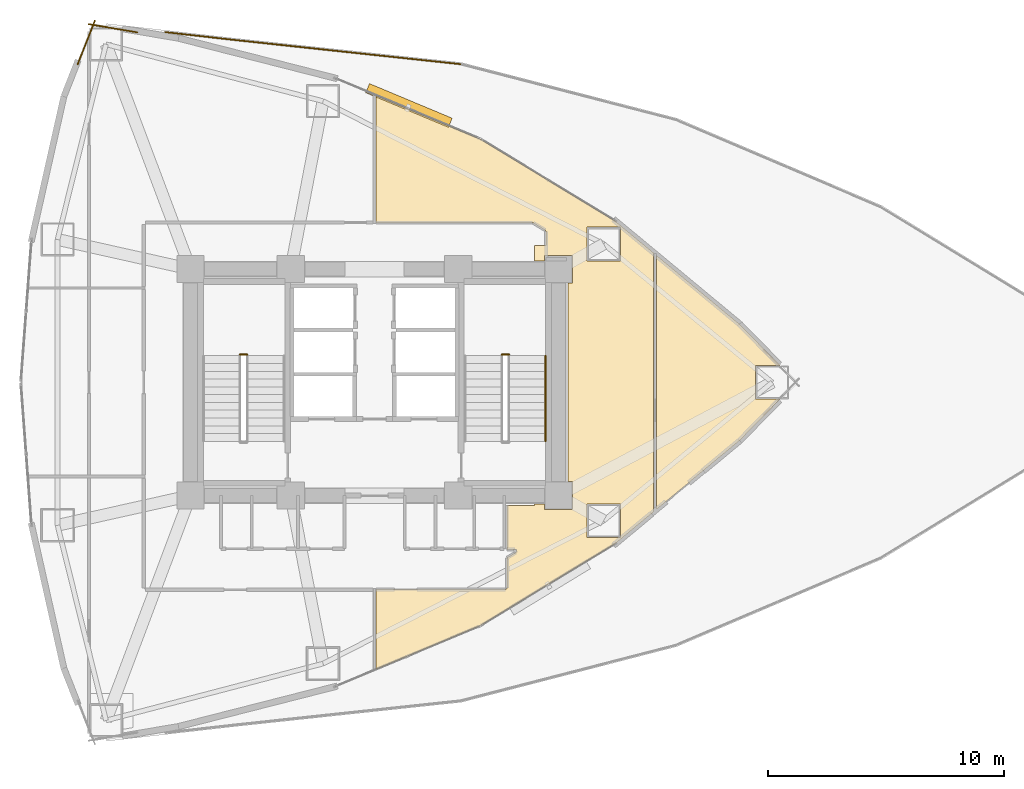
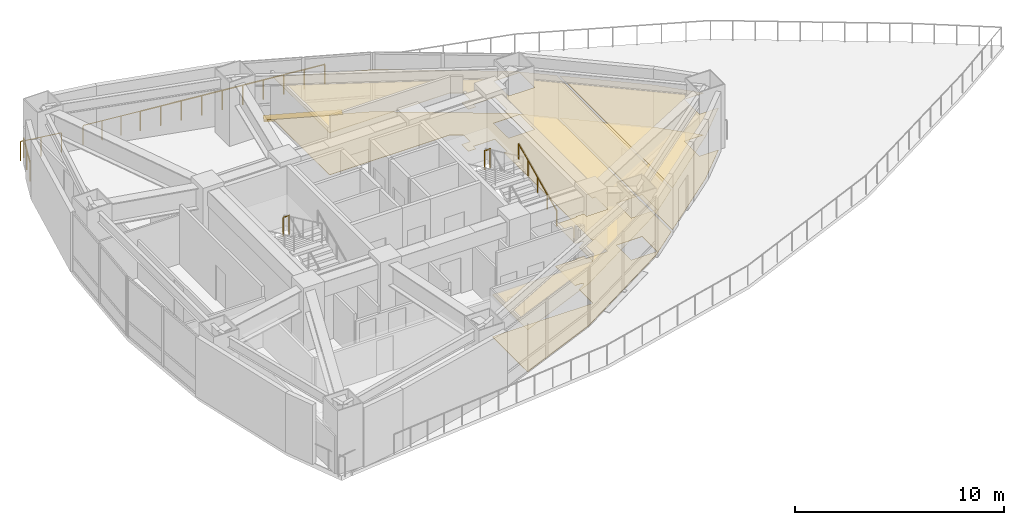
# One storey, part 18 of 19: 7 railings, 4 coverings, 1 shading device.
"""IFC4 building model written with IfcOpenShell, lengths in metres."""

from ifc_helpers import new_model, si_unit, direction, frame, origin, origin_2d, place, context, subcontext, project, spatial, polyline, rectangle, circle, outline, extrude, material, layer, layer_set, type_object, element, save


model = new_model("IFC4")

# Units and contexts
model_context = context("Model", 3, precision=1e-05, world=origin(), true_north=direction((0.0, 1.0)))
body_context = subcontext(model_context, "Body", "Model", "MODEL_VIEW")
ifc_project = project(units=[si_unit("LENGTHUNIT", "METRE"), si_unit("AREAUNIT", "SQUARE_METRE"), si_unit("VOLUMEUNIT", "CUBIC_METRE"), si_unit("PLANEANGLEUNIT", "RADIAN"), si_unit("MASSUNIT", "GRAM", prefix="KILO")], contexts=[model_context])

# Site, building, storey
site_placement = place(None, origin())
site = spatial("IfcSite", under=ifc_project, at=site_placement, CompositionType="ELEMENT")
building_placement = place(site_placement, origin())
building = spatial("IfcBuilding", under=site, at=building_placement, Name="Menara Vayukalpa", CompositionType="ELEMENT")
storey_placement = place(building_placement, frame((0.0, 0.0, 68.52001953125)))
storey = spatial("IfcBuildingStorey", under=building, at=storey_placement, Name="L16", CompositionType="ELEMENT", Elevation=68.52001953125)

# Coverings
ifc_material_1 = material(Name="Mineral Fibre Acoustic Ceiling Tile", Category="masonry")
ifc_layer_1 = layer(ifc_material_1, 0.02490234375)
ifc_layer_set_1 = layer_set([ifc_layer_1], Name="Mineral Fibre Acoustic Ceiling Tile")
covering_type_1 = type_object("IfcCoveringType", Name="COV-CLG1", PredefinedType="CEILING", material=ifc_layer_set_1)
covering_1_placement = place(storey_placement, frame((0.0, 0.0, 2.449951171875)))
element("IfcCovering", 1, at=covering_1_placement, inside=storey, type_object=covering_type_1, Name="L16 Technical Reference Library Acoustic Ceiling", PredefinedType="CEILING", context=body_context, shape_type="SweptSolid", body=[
    extrude(outline(polyline([(42.798828125, 22.715087890625), (41.749755859375, 22.715087890625), (41.749755859375, 21.284912109375), (42.798828125, 21.284912109375), (41.078369140625, 19.53271484375), (41.07763671875, 19.531982421875), (37.576416015625, 16.62841796875), (37.57568359375, 16.6279296875), (37.57470703125, 16.62744140625), (37.573974609375, 16.626953125), (37.572998046875, 16.626708984375), (37.572021484375, 16.62646484375), (37.571044921875, 16.626220703125), (37.570068359375, 16.626220703125), (37.569091796875, 16.626220703125), (37.568115234375, 16.62646484375), (37.567138671875, 16.626708984375), (37.566162109375, 16.626953125), (37.565185546875, 16.62744140625), (37.564453125, 16.6279296875), (37.563720703125, 16.62841796875), (37.56298828125, 16.629150390625), (37.562255859375, 16.6298828125), (37.561767578125, 16.630615234375), (37.561279296875, 16.631591796875), (37.560791015625, 16.63232421875), (37.560302734375, 16.63330078125), (37.560302734375, 16.63427734375), (37.56005859375, 16.63525390625), (37.56005859375, 16.63623046875), (37.56005859375, 27.36376953125), (37.56005859375, 27.36474609375), (37.560302734375, 27.36572265625), (37.560302734375, 27.36669921875), (37.560791015625, 27.36767578125), (37.561279296875, 27.368408203125), (37.561767578125, 27.369384765625), (37.562255859375, 27.3701171875), (37.56298828125, 27.370849609375), (37.563720703125, 27.37158203125), (37.564453125, 27.3720703125), (37.565185546875, 27.37255859375), (37.566162109375, 27.373046875), (37.567138671875, 27.373291015625), (37.568115234375, 27.37353515625), (37.569091796875, 27.373779296875), (37.570068359375, 27.373779296875), (37.571044921875, 27.373779296875), (37.572021484375, 27.37353515625), (37.572998046875, 27.373291015625), (37.573974609375, 27.373046875), (37.57470703125, 27.37255859375), (37.57568359375, 27.3720703125), (37.576416015625, 27.37158203125), (41.07763671875, 24.468017578125), (41.078369140625, 24.46728515625), (42.798828125, 22.715087890625)])), origin(), (0.0, 0.0, 1.0), 0.025146484375),
])
covering_2_placement = place(storey_placement, frame((0.0, 0.0, 2.449951171875)))
element("IfcCovering", 2, at=covering_2_placement, inside=storey, type_object=covering_type_1, Name="L16 Open Plan Office Workplace Acoustic Ceiling", PredefinedType="CEILING", context=body_context, shape_type="SweptSolid", body=[
    extrude(outline(polyline([(32.81005859375, 16.85009765625), (32.81005859375, 16.610107421875), (33.989990234375, 16.610107421875), (33.989990234375, 17.7900390625), (33.81005859375, 17.7900390625), (33.81005859375, 26.2099609375), (33.989990234375, 26.2099609375), (33.989990234375, 27.389892578125), (32.81005859375, 27.389892578125), (32.81005859375, 27.14990234375), (32.389892578125, 27.14990234375), (32.389892578125, 27.81005859375), (32.8701171875, 27.81005859375), (32.8701171875, 28.39453125), (32.86962890625, 28.40185546875), (32.868408203125, 28.408935546875), (32.86669921875, 28.416015625), (32.8642578125, 28.422607421875), (32.861083984375, 28.428955078125), (32.857177734375, 28.43505859375), (32.852783203125, 28.440673828125), (32.847900390625, 28.44580078125), (32.84228515625, 28.450439453125), (32.836181640625, 28.45458984375), (32.333984375, 28.759765625), (32.328125, 28.762939453125), (32.322509765625, 28.765380859375), (32.31640625, 28.767333984375), (32.31005859375, 28.768798828125), (32.3037109375, 28.769775390625), (32.297119140625, 28.77001953125), (25.669921875, 28.77001953125), (25.6689453125, 28.77001953125), (25.66796875, 28.770263671875), (25.6669921875, 28.7705078125), (25.666259765625, 28.770751953125), (25.665283203125, 28.771240234375), (25.664306640625, 28.771728515625), (25.663818359375, 28.772216796875), (25.662841796875, 28.77294921875), (25.662353515625, 28.773681640625), (25.66162109375, 28.7744140625), (25.6611328125, 28.775390625), (25.660888671875, 28.776123046875), (25.660400390625, 28.777099609375), (25.66015625, 28.778076171875), (25.659912109375, 28.779052734375), (25.659912109375, 28.780029296875), (25.659912109375, 34.148681640625), (25.659912109375, 34.149658203125), (25.66015625, 34.150634765625), (25.660400390625, 34.151611328125), (25.660888671875, 34.152587890625), (25.6611328125, 34.1533203125), (25.66162109375, 34.154296875), (25.662353515625, 34.155029296875), (25.662841796875, 34.15576171875), (25.663818359375, 34.156494140625), (25.66455078125, 34.156982421875), (25.665283203125, 34.157470703125), (25.666259765625, 34.157958984375), (25.6669921875, 34.158203125), (25.668212890625, 34.158447265625), (25.6689453125, 34.15869140625), (25.669921875, 34.15869140625), (25.6708984375, 34.15869140625), (25.672119140625, 34.158447265625), (25.6728515625, 34.158203125), (25.673828125, 34.157958984375), (30.08984375, 32.310791015625), (30.090576171875, 32.310302734375), (30.09130859375, 32.31005859375), (35.810791015625, 28.835693359375), (35.81201171875, 28.834716796875), (37.438720703125, 27.48583984375), (37.439208984375, 27.485107421875), (37.43994140625, 27.484375), (37.440673828125, 27.4833984375), (37.441162109375, 27.482666015625), (37.44140625, 27.481689453125), (37.44189453125, 27.480712890625), (37.442138671875, 27.479736328125), (37.442138671875, 27.478759765625), (37.442138671875, 27.477783203125), (37.442138671875, 27.476806640625), (37.44189453125, 27.4755859375), (37.441162109375, 27.47265625), (37.440185546875, 27.466796875), (37.43994140625, 27.460693359375), (37.43994140625, 16.539306640625), (37.440185546875, 16.533203125), (37.441162109375, 16.52734375), (37.44189453125, 16.5244140625), (37.442138671875, 16.523193359375), (37.442138671875, 16.522216796875), (37.442138671875, 16.521240234375), (37.442138671875, 16.520263671875), (37.44189453125, 16.519287109375), (37.44140625, 16.518310546875), (37.441162109375, 16.517333984375), (37.440673828125, 16.5166015625), (37.43994140625, 16.515625), (37.439208984375, 16.514892578125), (37.438720703125, 16.51416015625), (35.81201171875, 15.165283203125), (35.810791015625, 15.164306640625), (30.09130859375, 11.68994140625), (30.090576171875, 11.689697265625), (30.08984375, 11.689208984375), (25.673828125, 9.842041015625), (25.6728515625, 9.841796875), (25.672119140625, 9.841552734375), (25.6708984375, 9.84130859375), (25.669921875, 9.84130859375), (25.6689453125, 9.84130859375), (25.668212890625, 9.841552734375), (25.6669921875, 9.841796875), (25.666259765625, 9.842041015625), (25.665283203125, 9.842529296875), (25.66455078125, 9.843017578125), (25.663818359375, 9.843505859375), (25.662841796875, 9.84423828125), (25.662353515625, 9.844970703125), (25.66162109375, 9.845703125), (25.6611328125, 9.8466796875), (25.660888671875, 9.847412109375), (25.660400390625, 9.848388671875), (25.66015625, 9.849365234375), (25.659912109375, 9.850341796875), (25.659912109375, 9.851318359375), (25.659912109375, 13.2099609375), (25.659912109375, 13.2109375), (25.66015625, 13.2119140625), (25.660400390625, 13.212890625), (25.660888671875, 13.2138671875), (25.6611328125, 13.214599609375), (25.66162109375, 13.215576171875), (25.662353515625, 13.21630859375), (25.662841796875, 13.217041015625), (25.663818359375, 13.2177734375), (25.664306640625, 13.21826171875), (25.665283203125, 13.21875), (25.666259765625, 13.21923828125), (25.6669921875, 13.219482421875), (25.66796875, 13.2197265625), (25.6689453125, 13.219970703125), (25.669921875, 13.219970703125), (31.149658203125, 13.219970703125), (31.15673828125, 13.220458984375), (31.163818359375, 13.22119140625), (31.17041015625, 13.222900390625), (31.1767578125, 13.225341796875), (31.18310546875, 13.228271484375), (31.188720703125, 13.231689453125), (31.194580078125, 13.236083984375), (31.199462890625, 13.240478515625), (31.2041015625, 13.24560546875), (31.208251953125, 13.251220703125), (31.2119140625, 13.257080078125), (31.214599609375, 13.26318359375), (31.217041015625, 13.269775390625), (31.21875, 13.2763671875), (31.219482421875, 13.283203125), (31.219970703125, 13.290283203125), (31.219970703125, 14.55810546875), (31.22021484375, 14.55908203125), (31.22021484375, 14.56005859375), (31.220458984375, 14.56103515625), (31.220703125, 14.56201171875), (31.22119140625, 14.56298828125), (31.2216796875, 14.563720703125), (31.222412109375, 14.564697265625), (31.22314453125, 14.565185546875), (31.22412109375, 14.56591796875), (31.224853515625, 14.56640625), (31.5927734375, 14.7900390625), (31.5986328125, 14.794189453125), (31.60400390625, 14.798583984375), (31.60888671875, 14.803466796875), (31.61328125, 14.80908203125), (31.6171875, 14.81494140625), (31.620361328125, 14.821044921875), (31.622802734375, 14.82763671875), (31.624755859375, 14.83447265625), (31.626220703125, 14.84130859375), (31.626708984375, 14.84814453125), (31.62646484375, 14.85498046875), (31.62548828125, 14.862060546875), (31.6240234375, 14.868896484375), (31.621826171875, 14.87548828125), (31.618896484375, 14.8818359375), (31.615478515625, 14.887939453125), (31.611328125, 14.8935546875), (31.606689453125, 14.898681640625), (31.6015625, 14.903564453125), (31.59619140625, 14.90771484375), (31.590087890625, 14.911376953125), (31.583740234375, 14.91455078125), (31.5771484375, 14.916748046875), (31.570556640625, 14.918701171875), (31.563720703125, 14.919677734375), (31.556396484375, 14.919921875), (31.219970703125, 14.919921875), (31.218994140625, 14.919921875), (31.218017578125, 14.920166015625), (31.217041015625, 14.92041015625), (31.21630859375, 14.9208984375), (31.21533203125, 14.921142578125), (31.21435546875, 14.921630859375), (31.213623046875, 14.92236328125), (31.212890625, 14.9228515625), (31.21240234375, 14.923583984375), (31.211669921875, 14.92431640625), (31.211181640625, 14.92529296875), (31.210693359375, 14.92626953125), (31.21044921875, 14.927001953125), (31.210205078125, 14.927978515625), (31.2099609375, 14.928955078125), (31.2099609375, 14.929931640625), (31.2099609375, 16.780029296875), (31.2099609375, 16.781005859375), (31.210205078125, 16.781982421875), (31.21044921875, 16.782958984375), (31.210693359375, 16.78369140625), (31.211181640625, 16.78466796875), (31.211669921875, 16.78564453125), (31.21240234375, 16.786376953125), (31.212890625, 16.787109375), (31.213623046875, 16.78759765625), (31.21435546875, 16.788330078125), (31.21533203125, 16.788818359375), (31.21630859375, 16.789306640625), (31.217041015625, 16.78955078125), (31.218017578125, 16.789794921875), (31.218994140625, 16.7900390625), (31.219970703125, 16.7900390625), (32.389892578125, 16.7900390625), (32.389892578125, 16.85009765625), (32.81005859375, 16.85009765625)]), holes=[polyline([(36.032958984375, 16.851806640625), (34.60302734375, 16.851806640625), (34.60302734375, 15.421875), (36.032958984375, 15.421875), (36.032958984375, 16.851806640625)]), polyline([(36.032958984375, 27.148193359375), (36.032958984375, 28.578125), (34.60302734375, 28.578125), (34.60302734375, 27.148193359375), (36.032958984375, 27.148193359375)])]), origin(), (0.0, 0.0, 1.0), 0.025146484375),
])
ifc_material_2 = material(Name="Porcelain Stoneware Floor Tile", Category="masonry")
ifc_layer_2 = layer(ifc_material_2, 0.02001953125)
ifc_layer_set_2 = layer_set([ifc_layer_2], Name="Porcelain Stoneware Floor Tile")
covering_type_2 = type_object("IfcCoveringType", Name="COV-FLR1", PredefinedType="FLOORING", material=ifc_layer_set_2)
covering_3_placement = place(storey_placement, origin())
element("IfcCovering", 3, at=covering_3_placement, inside=storey, type_object=covering_type_2, Name="L16 Technical Reference Library Porcelain Flooring", PredefinedType="FLOORING", context=body_context, shape_type="SweptSolid", body=[
    extrude(outline(polyline([(42.798828125, 22.715087890625), (41.749755859375, 22.715087890625), (41.749755859375, 21.284912109375), (42.798828125, 21.284912109375), (41.078369140625, 19.53271484375), (41.07763671875, 19.531982421875), (37.576416015625, 16.62841796875), (37.57568359375, 16.6279296875), (37.57470703125, 16.62744140625), (37.573974609375, 16.626953125), (37.572998046875, 16.626708984375), (37.572021484375, 16.62646484375), (37.571044921875, 16.626220703125), (37.570068359375, 16.626220703125), (37.569091796875, 16.626220703125), (37.568115234375, 16.62646484375), (37.567138671875, 16.626708984375), (37.566162109375, 16.626953125), (37.565185546875, 16.62744140625), (37.564453125, 16.6279296875), (37.563720703125, 16.62841796875), (37.56298828125, 16.629150390625), (37.562255859375, 16.6298828125), (37.561767578125, 16.630615234375), (37.561279296875, 16.631591796875), (37.560791015625, 16.63232421875), (37.560302734375, 16.63330078125), (37.560302734375, 16.63427734375), (37.56005859375, 16.63525390625), (37.56005859375, 16.63623046875), (37.56005859375, 27.36376953125), (37.56005859375, 27.36474609375), (37.560302734375, 27.36572265625), (37.560302734375, 27.36669921875), (37.560791015625, 27.36767578125), (37.561279296875, 27.368408203125), (37.561767578125, 27.369384765625), (37.562255859375, 27.3701171875), (37.56298828125, 27.370849609375), (37.563720703125, 27.37158203125), (37.564453125, 27.3720703125), (37.565185546875, 27.37255859375), (37.566162109375, 27.373046875), (37.567138671875, 27.373291015625), (37.568115234375, 27.37353515625), (37.569091796875, 27.373779296875), (37.570068359375, 27.373779296875), (37.571044921875, 27.373779296875), (37.572021484375, 27.37353515625), (37.572998046875, 27.373291015625), (37.573974609375, 27.373046875), (37.57470703125, 27.37255859375), (37.57568359375, 27.3720703125), (37.576416015625, 27.37158203125), (41.07763671875, 24.468017578125), (41.078369140625, 24.46728515625), (42.798828125, 22.715087890625)])), origin(), (0.0, 0.0, 1.0), 0.02001953125),
])
covering_4_placement = place(storey_placement, origin())
element("IfcCovering", 4, at=covering_4_placement, inside=storey, type_object=covering_type_2, Name="L16 Open Plan Office Workplace Porcelain Flooring", PredefinedType="FLOORING", context=body_context, shape_type="SweptSolid", body=[
    extrude(outline(polyline([(32.81005859375, 16.85009765625), (32.81005859375, 16.610107421875), (33.989990234375, 16.610107421875), (33.989990234375, 17.7900390625), (33.81005859375, 17.7900390625), (33.81005859375, 26.2099609375), (33.989990234375, 26.2099609375), (33.989990234375, 27.389892578125), (32.81005859375, 27.389892578125), (32.81005859375, 27.14990234375), (32.389892578125, 27.14990234375), (32.389892578125, 27.81005859375), (32.8701171875, 27.81005859375), (32.8701171875, 28.39453125), (32.86962890625, 28.40185546875), (32.868408203125, 28.408935546875), (32.86669921875, 28.416015625), (32.8642578125, 28.422607421875), (32.861083984375, 28.428955078125), (32.857177734375, 28.43505859375), (32.852783203125, 28.440673828125), (32.847900390625, 28.44580078125), (32.84228515625, 28.450439453125), (32.836181640625, 28.45458984375), (32.333984375, 28.759765625), (32.328125, 28.762939453125), (32.322509765625, 28.765380859375), (32.31640625, 28.767333984375), (32.31005859375, 28.768798828125), (32.3037109375, 28.769775390625), (32.297119140625, 28.77001953125), (25.669921875, 28.77001953125), (25.6689453125, 28.77001953125), (25.66796875, 28.770263671875), (25.6669921875, 28.7705078125), (25.666259765625, 28.770751953125), (25.665283203125, 28.771240234375), (25.664306640625, 28.771728515625), (25.663818359375, 28.772216796875), (25.662841796875, 28.77294921875), (25.662353515625, 28.773681640625), (25.66162109375, 28.7744140625), (25.6611328125, 28.775390625), (25.660888671875, 28.776123046875), (25.660400390625, 28.777099609375), (25.66015625, 28.778076171875), (25.659912109375, 28.779052734375), (25.659912109375, 28.780029296875), (25.659912109375, 34.148681640625), (25.659912109375, 34.149658203125), (25.66015625, 34.150634765625), (25.660400390625, 34.151611328125), (25.660888671875, 34.152587890625), (25.6611328125, 34.1533203125), (25.66162109375, 34.154296875), (25.662353515625, 34.155029296875), (25.662841796875, 34.15576171875), (25.663818359375, 34.156494140625), (25.66455078125, 34.156982421875), (25.665283203125, 34.157470703125), (25.666259765625, 34.157958984375), (25.6669921875, 34.158203125), (25.668212890625, 34.158447265625), (25.6689453125, 34.15869140625), (25.669921875, 34.15869140625), (25.6708984375, 34.15869140625), (25.672119140625, 34.158447265625), (25.6728515625, 34.158203125), (25.673828125, 34.157958984375), (30.08984375, 32.310791015625), (30.090576171875, 32.310302734375), (30.09130859375, 32.31005859375), (35.810791015625, 28.835693359375), (35.81201171875, 28.834716796875), (37.438720703125, 27.48583984375), (37.439208984375, 27.485107421875), (37.43994140625, 27.484375), (37.440673828125, 27.4833984375), (37.441162109375, 27.482666015625), (37.44140625, 27.481689453125), (37.44189453125, 27.480712890625), (37.442138671875, 27.479736328125), (37.442138671875, 27.478759765625), (37.442138671875, 27.477783203125), (37.442138671875, 27.476806640625), (37.44189453125, 27.4755859375), (37.441162109375, 27.47265625), (37.440185546875, 27.466796875), (37.43994140625, 27.460693359375), (37.43994140625, 16.539306640625), (37.440185546875, 16.533203125), (37.441162109375, 16.52734375), (37.44189453125, 16.5244140625), (37.442138671875, 16.523193359375), (37.442138671875, 16.522216796875), (37.442138671875, 16.521240234375), (37.442138671875, 16.520263671875), (37.44189453125, 16.519287109375), (37.44140625, 16.518310546875), (37.441162109375, 16.517333984375), (37.440673828125, 16.5166015625), (37.43994140625, 16.515625), (37.439208984375, 16.514892578125), (37.438720703125, 16.51416015625), (35.81201171875, 15.165283203125), (35.810791015625, 15.164306640625), (30.09130859375, 11.68994140625), (30.090576171875, 11.689697265625), (30.08984375, 11.689208984375), (25.673828125, 9.842041015625), (25.6728515625, 9.841796875), (25.672119140625, 9.841552734375), (25.6708984375, 9.84130859375), (25.669921875, 9.84130859375), (25.6689453125, 9.84130859375), (25.668212890625, 9.841552734375), (25.6669921875, 9.841796875), (25.666259765625, 9.842041015625), (25.665283203125, 9.842529296875), (25.66455078125, 9.843017578125), (25.663818359375, 9.843505859375), (25.662841796875, 9.84423828125), (25.662353515625, 9.844970703125), (25.66162109375, 9.845703125), (25.6611328125, 9.8466796875), (25.660888671875, 9.847412109375), (25.660400390625, 9.848388671875), (25.66015625, 9.849365234375), (25.659912109375, 9.850341796875), (25.659912109375, 9.851318359375), (25.659912109375, 13.2099609375), (25.659912109375, 13.2109375), (25.66015625, 13.2119140625), (25.660400390625, 13.212890625), (25.660888671875, 13.2138671875), (25.6611328125, 13.214599609375), (25.66162109375, 13.215576171875), (25.662353515625, 13.21630859375), (25.662841796875, 13.217041015625), (25.663818359375, 13.2177734375), (25.664306640625, 13.21826171875), (25.665283203125, 13.21875), (25.666259765625, 13.21923828125), (25.6669921875, 13.219482421875), (25.66796875, 13.2197265625), (25.6689453125, 13.219970703125), (25.669921875, 13.219970703125), (31.149658203125, 13.219970703125), (31.15673828125, 13.220458984375), (31.163818359375, 13.22119140625), (31.17041015625, 13.222900390625), (31.1767578125, 13.225341796875), (31.18310546875, 13.228271484375), (31.188720703125, 13.231689453125), (31.194580078125, 13.236083984375), (31.199462890625, 13.240478515625), (31.2041015625, 13.24560546875), (31.208251953125, 13.251220703125), (31.2119140625, 13.257080078125), (31.214599609375, 13.26318359375), (31.217041015625, 13.269775390625), (31.21875, 13.2763671875), (31.219482421875, 13.283203125), (31.219970703125, 13.290283203125), (31.219970703125, 14.55810546875), (31.22021484375, 14.55908203125), (31.22021484375, 14.56005859375), (31.220458984375, 14.56103515625), (31.220703125, 14.56201171875), (31.22119140625, 14.56298828125), (31.2216796875, 14.563720703125), (31.222412109375, 14.564697265625), (31.22314453125, 14.565185546875), (31.22412109375, 14.56591796875), (31.224853515625, 14.56640625), (31.5927734375, 14.7900390625), (31.5986328125, 14.794189453125), (31.60400390625, 14.798583984375), (31.60888671875, 14.803466796875), (31.61328125, 14.80908203125), (31.6171875, 14.81494140625), (31.620361328125, 14.821044921875), (31.622802734375, 14.82763671875), (31.624755859375, 14.83447265625), (31.626220703125, 14.84130859375), (31.626708984375, 14.84814453125), (31.62646484375, 14.85498046875), (31.62548828125, 14.862060546875), (31.6240234375, 14.868896484375), (31.621826171875, 14.87548828125), (31.618896484375, 14.8818359375), (31.615478515625, 14.887939453125), (31.611328125, 14.8935546875), (31.606689453125, 14.898681640625), (31.6015625, 14.903564453125), (31.59619140625, 14.90771484375), (31.590087890625, 14.911376953125), (31.583740234375, 14.91455078125), (31.5771484375, 14.916748046875), (31.570556640625, 14.918701171875), (31.563720703125, 14.919677734375), (31.556396484375, 14.919921875), (31.219970703125, 14.919921875), (31.218994140625, 14.919921875), (31.218017578125, 14.920166015625), (31.217041015625, 14.92041015625), (31.21630859375, 14.9208984375), (31.21533203125, 14.921142578125), (31.21435546875, 14.921630859375), (31.213623046875, 14.92236328125), (31.212890625, 14.9228515625), (31.21240234375, 14.923583984375), (31.211669921875, 14.92431640625), (31.211181640625, 14.92529296875), (31.210693359375, 14.92626953125), (31.21044921875, 14.927001953125), (31.210205078125, 14.927978515625), (31.2099609375, 14.928955078125), (31.2099609375, 14.929931640625), (31.2099609375, 16.780029296875), (31.2099609375, 16.781005859375), (31.210205078125, 16.781982421875), (31.21044921875, 16.782958984375), (31.210693359375, 16.78369140625), (31.211181640625, 16.78466796875), (31.211669921875, 16.78564453125), (31.21240234375, 16.786376953125), (31.212890625, 16.787109375), (31.213623046875, 16.78759765625), (31.21435546875, 16.788330078125), (31.21533203125, 16.788818359375), (31.21630859375, 16.789306640625), (31.217041015625, 16.78955078125), (31.218017578125, 16.789794921875), (31.218994140625, 16.7900390625), (31.219970703125, 16.7900390625), (32.389892578125, 16.7900390625), (32.389892578125, 16.85009765625), (32.81005859375, 16.85009765625)]), holes=[polyline([(36.032958984375, 16.851806640625), (34.60302734375, 16.851806640625), (34.60302734375, 15.421875), (36.032958984375, 15.421875), (36.032958984375, 16.851806640625)]), polyline([(36.032958984375, 27.148193359375), (36.032958984375, 28.578125), (34.60302734375, 28.578125), (34.60302734375, 27.148193359375), (36.032958984375, 27.148193359375)])]), origin(), (0.0, 0.0, 1.0), 0.02001953125),
])

# Railings
ifc_material_3 = material(Name="Laminated Glass and Stainless Steel 316 Guardrail", Category="steel")
railing_type_1 = type_object("IfcRailingType", Name="RLG-EXT115", PredefinedType="GUARDRAIL", material=ifc_material_3)
railing_1_placement = place(storey_placement, frame((16.737548828125, 36.849853515625, 0.0)))
element("IfcRailing", 5, at=railing_1_placement, inside=storey, type_object=railing_type_1, Name="L16 Sky Terrace Perimeter Guardrail 01", PredefinedType="GUARDRAIL", context=body_context, shape_type="SweptSolid", body=[
    extrude(circle(Radius=0.02392578125, at=origin_2d()), frame((0.0, 0.0, 1.1259765625), z_axis=(0.993628882946, -0.112701565988, 0.0), x_axis=(0.112701565988, 0.993628882946, 0.0)), (0.0, 0.0, 1.0), 2.974365234375),
    extrude(circle(Radius=0.02099609375, at=origin_2d()), origin(), (0.0, 0.0, 1.0), 1.101806640625),
    extrude(circle(Radius=0.02099609375, at=origin_2d()), frame((0.985107421875, -0.11181640625, 0.0)), (0.0, 0.0, 1.0), 1.101806640625),
    extrude(circle(Radius=0.02099609375, at=origin_2d()), frame((1.97021484375, -0.223388671875, 0.0)), (0.0, 0.0, 1.0), 1.101806640625),
    extrude(circle(Radius=0.02099609375, at=origin_2d()), frame((2.955322265625, -0.335205078125, 0.0)), (0.0, 0.0, 1.0), 1.101806640625),
])
railing_2_placement = place(storey_placement, frame((19.693359375, 36.5146484375, 0.0)))
element("IfcRailing", 6, at=railing_2_placement, inside=storey, type_object=railing_type_1, Name="L16 Sky Terrace Perimeter Guardrail 02", PredefinedType="GUARDRAIL", context=body_context, shape_type="SweptSolid", body=[
    extrude(circle(Radius=0.02392578125, at=origin_2d()), frame((0.0, 0.0, 1.1259765625), z_axis=(0.994318256903, -0.106448128163, 0.0), x_axis=(0.106448128163, 0.994318256903, 0.0)), (0.0, 0.0, 1.0), 9.635009765625),
    extrude(circle(Radius=0.02099609375, at=origin_2d()), origin(), (0.0, 0.0, 1.0), 1.101806640625),
    extrude(circle(Radius=0.02099609375, at=origin_2d()), frame((1.064453125, -0.114013671875, 0.0)), (0.0, 0.0, 1.0), 1.101806640625),
    extrude(circle(Radius=0.02099609375, at=origin_2d()), frame((2.12890625, -0.22802734375, 0.0)), (0.0, 0.0, 1.0), 1.101806640625),
    extrude(circle(Radius=0.02099609375, at=origin_2d()), frame((3.193359375, -0.341796875, 0.0)), (0.0, 0.0, 1.0), 1.101806640625),
    extrude(circle(Radius=0.02099609375, at=origin_2d()), frame((4.2578125, -0.455810546875, 0.0)), (0.0, 0.0, 1.0), 1.101806640625),
    extrude(circle(Radius=0.02099609375, at=origin_2d()), frame((5.322509765625, -0.56982421875, 0.0)), (0.0, 0.0, 1.0), 1.101806640625),
    extrude(circle(Radius=0.02099609375, at=origin_2d()), frame((6.386962890625, -0.683837890625, 0.0)), (0.0, 0.0, 1.0), 1.101806640625),
    extrude(circle(Radius=0.02099609375, at=origin_2d()), frame((7.451416015625, -0.797607421875, 0.0)), (0.0, 0.0, 1.0), 1.101806640625),
    extrude(circle(Radius=0.02099609375, at=origin_2d()), frame((8.515869140625, -0.91162109375, 0.0)), (0.0, 0.0, 1.0), 1.101806640625),
    extrude(circle(Radius=0.02099609375, at=origin_2d()), frame((9.580322265625, -1.025634765625, 0.0)), (0.0, 0.0, 1.0), 1.101806640625),
])
railing_3_placement = place(storey_placement, frame((15.541015625, 36.840087890625, 0.0)))
element("IfcRailing", 7, at=railing_3_placement, inside=storey, type_object=railing_type_1, Name="L16 Column Corner Spandrel Guardrail 07-1", PredefinedType="GUARDRAIL", context=body_context, shape_type="SweptSolid", body=[
    extrude(circle(Radius=0.02392578125, at=origin_2d()), frame((0.0, 0.0, 1.1259765625), z_axis=(-0.985904350491, 0.167309927029, 0.0), x_axis=(-0.167309927029, -0.985904350491, 0.0)), (0.0, 0.0, 1.0), 2.093994140625),
    extrude(circle(Radius=0.02099609375, at=origin_2d()), origin(), (0.0, 0.0, 1.0), 1.101806640625),
    extrude(circle(Radius=0.02099609375, at=origin_2d()), frame((-1.0322265625, 0.17529296875, 0.0)), (0.0, 0.0, 1.0), 1.101806640625),
    extrude(circle(Radius=0.02099609375, at=origin_2d()), frame((-2.064453125, 0.350341796875, 0.0)), (0.0, 0.0, 1.0), 1.101806640625),
])
railing_4_placement = place(storey_placement, frame((13.74755859375, 37.343505859375, 0.0)))
element("IfcRailing", 8, at=railing_4_placement, inside=storey, type_object=railing_type_1, Name="L16 Column Corner Spandrel Guardrail 08-1", PredefinedType="GUARDRAIL", context=body_context, shape_type="SweptSolid", body=[
    extrude(circle(Radius=0.02392578125, at=origin_2d()), frame((0.0, 0.0, 1.1259765625), z_axis=(-0.365580158762, -0.930779859859, 0.0), x_axis=(0.930779859859, -0.365580158762, 0.0)), (0.0, 0.0, 1.0), 1.9873046875),
    extrude(circle(Radius=0.02099609375, at=origin_2d()), origin(), (0.0, 0.0, 1.0), 1.101806640625),
    extrude(circle(Radius=0.02099609375, at=origin_2d()), frame((-0.36328125, -0.9248046875, 0.0)), (0.0, 0.0, 1.0), 1.101806640625),
    extrude(circle(Radius=0.02099609375, at=origin_2d()), frame((-0.7265625, -1.849853515625, 0.0)), (0.0, 0.0, 1.0), 1.101806640625),
])
ifc_material_4 = material(Name="Powder-Coated Galvanised Steel Guardrail", Category="steel")
railing_type_2 = type_object("IfcRailingType", Name="RLG-STG110", PredefinedType="GUARDRAIL", material=ifc_material_4)
for number, where, name in (
    (9, (20.2099609375, 23.179931640625, 1.85986328125), "L16 ST-1 stair guard 2"),
    (10, (31.31005859375, 23.179931640625, 1.85986328125), "L16 ST-2 stair guard 2"),
):
    element("IfcRailing", number, at=place(storey_placement, frame(where)), inside=storey, type_object=railing_type_2, Name=name, PredefinedType="GUARDRAIL", context=body_context, shape_type="SweptSolid", body=[
        extrude(circle(Radius=0.02392578125, at=origin_2d()), frame((0.0, 0.0, 1.09619140625), z_axis=(-1.0, 0.0, 0.0), x_axis=(0.0, -1.0, 0.0)), (0.0, 0.0, 1.0), 0.320068359375),
        extrude(circle(Radius=0.02099609375, at=origin_2d()), origin(), (0.0, 0.0, 1.0), 1.072021484375),
        extrude(circle(Radius=0.02099609375, at=origin_2d()), frame((-0.320068359375, 0.0, 0.0)), (0.0, 0.0, 1.0), 1.072021484375),
    ])
ifc_material_5 = material(Name="Stainless Steel 316 Tubular Handrail", Category="steel")
railing_type_3 = type_object("IfcRailingType", Name="RLG-STH090", PredefinedType="HANDRAIL", material=ifc_material_5)
railing_5_placement = place(storey_placement, frame((32.85009765625, 19.5, 0.155029296875)))
element("IfcRailing", 11, at=railing_5_placement, inside=storey, type_object=railing_type_3, Name="L16 ST-2 stair handrail 1", PredefinedType="HANDRAIL", context=body_context, shape_type="SweptSolid", body=[
    extrude(circle(Radius=0.02392578125, at=origin_2d()), frame((0.0, 0.0, 0.8759765625), z_axis=(0.0, 0.90513990983, 0.425113800803), x_axis=(-1.0, 0.0, 0.0)), (0.0, 0.0, 1.0), 4.01025390625),
    extrude(circle(Radius=0.02099609375, at=origin_2d()), origin(), (0.0, 0.0, 1.0), 0.851806640625),
    extrude(circle(Radius=0.02099609375, at=origin_2d()), frame((0.0, 0.907470703125, 0.42626953125)), (0.0, 0.0, 1.0), 0.851806640625),
    extrude(circle(Radius=0.02099609375, at=origin_2d()), frame((0.0, 1.81494140625, 0.8525390625)), (0.0, 0.0, 1.0), 0.851806640625),
    extrude(circle(Radius=0.02099609375, at=origin_2d()), frame((0.0, 2.722412109375, 1.278564453125)), (0.0, 0.0, 1.0), 0.851806640625),
    extrude(circle(Radius=0.02099609375, at=origin_2d()), frame((0.0, 3.6298828125, 1.704833984375)), (0.0, 0.0, 1.0), 0.851806640625),
])

# Shading device
ifc_material_6 = material(Name="Glazed Terracotta Ceramic Baguette Extrusion", Category="masonry")
ifc_layer_3 = layer(ifc_material_6, 0.1201171875)
ifc_layer_set_3 = layer_set([ifc_layer_3], Name="Glazed Terracotta Ceramic Baguette Extrusion")
shading_device_type = type_object("IfcShadingDeviceType", Name="SHD-SS1", PredefinedType="USERDEFINED", material=ifc_layer_set_3)
shading_device_placement = place(storey_placement, frame((27.060791015625, 33.740478515625, -0.10009765625), z_axis=(0.0, 0.0, 1.0), x_axis=(-0.922544824647, 0.385889940938, 0.0)))
element("IfcShadingDevice", 12, at=shading_device_placement, inside=storey, type_object=shading_device_type, Name="L16 Horizontal Terracotta Sunshade Band 05", ObjectType="SUNSHADE", PredefinedType="USERDEFINED", context=body_context, shape_type="SweptSolid", body=[
    extrude(rectangle(XDim=3.800048828125, YDim=0.419921875, at=origin_2d()), origin(), (0.0, 0.0, 1.0), 0.1201171875),
])

save(model, "model.ifc")
